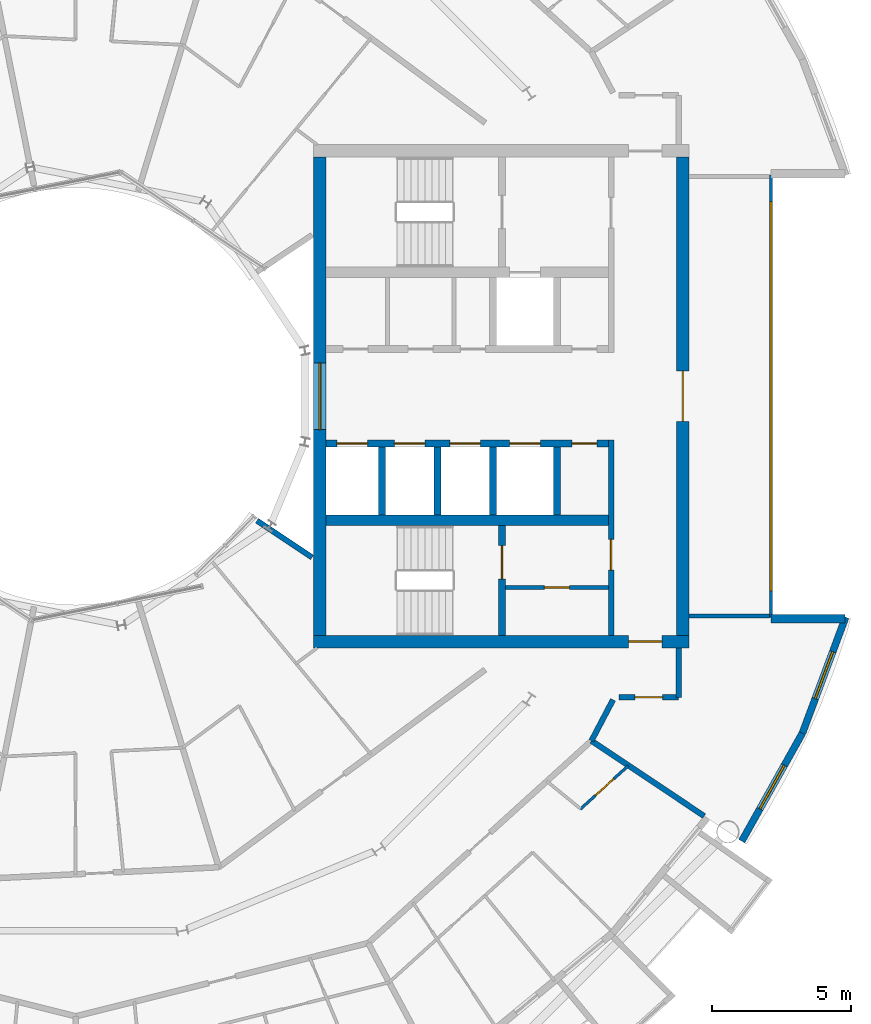
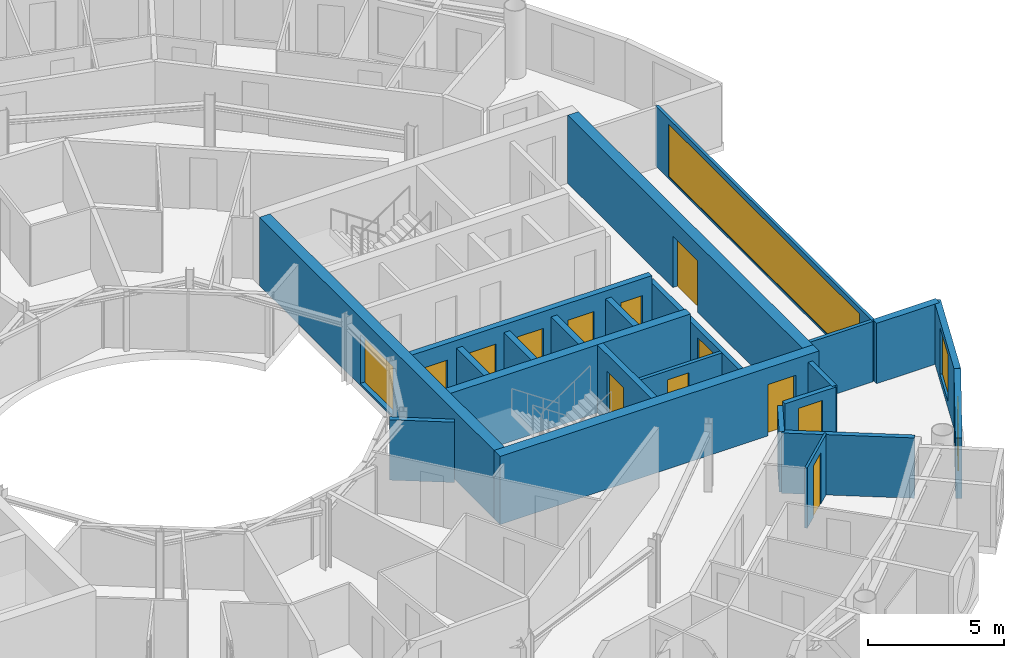
# One storey, part 19 of 29: 23 walls, 12 doors, 4 windows, 16 openings.
"""IFC4 building model written with IfcOpenShell, lengths in metres."""

from ifc_helpers import new_model, si_unit, direction, frame, frame_2d, origin, place, context, subcontext, project, spatial, rectangle, extrude, material, layer, layer_set, type_object, element, fill, save


model = new_model("IFC4")

# Units and contexts
model_context = context("Model", 3, precision=1e-05, world=origin(), true_north=direction((0.0, 1.0)))
body_context = subcontext(model_context, "Body", "Model", "MODEL_VIEW")
ifc_project = project(units=[si_unit("LENGTHUNIT", "METRE"), si_unit("AREAUNIT", "SQUARE_METRE"), si_unit("VOLUMEUNIT", "CUBIC_METRE"), si_unit("PLANEANGLEUNIT", "RADIAN"), si_unit("MASSUNIT", "GRAM", prefix="KILO")], contexts=[model_context])

# Site, building, storey
site_placement = place(None, origin())
site = spatial("IfcSite", under=ifc_project, at=site_placement, CompositionType="ELEMENT")
building_placement = place(site_placement, origin())
building = spatial("IfcBuilding", under=site, at=building_placement, Name="Maasbend Ring Residences", CompositionType="ELEMENT")
storey_placement = place(building_placement, frame((0.0, 0.0, 193.25)))
storey = spatial("IfcBuildingStorey", under=building, at=storey_placement, Name="L55", CompositionType="ELEMENT", Elevation=193.25)

# Wall, openings, doors
ifc_material_1 = material(Name="Concrete C50/60", Category="concrete")
ifc_layer_1 = layer(ifc_material_1, 0.25)
ifc_layer_set_1 = layer_set([ifc_layer_1], Name="Concrete C50/60")
wall_type_1 = type_object("IfcWallType", Name="CORE WALL 250 C50/60", PredefinedType="SHEAR", material=ifc_layer_set_1)
wall_1_placement = place(storey_placement, frame((19.14990234375, -1.699951171875, 0.0), z_axis=(0.0, 0.0, 1.0), x_axis=(-1.0, 0.0, 0.0)))
wall_1 = element("IfcWall", 1, at=wall_1_placement, inside=storey, type_object=wall_type_1, Name="L55 core E wall SPS", PredefinedType="SHEAR", context=body_context, shape_type="SweptSolid", body=[
    extrude(rectangle(XDim=10.14990234375, YDim=0.25, at=frame_2d((5.074951171875, 0.0))), origin(), (0.0, 0.0, 1.0), 3.050048828125),
])
opening_1_placement = place(wall_1_placement, frame((8.66259765625, 0.0, 0.0)))
opening_1 = element("IfcOpeningElement", 2, at=opening_1_placement, cuts=wall_1, Name="Opening LD-E5502", PredefinedType="OPENING", context=body_context, shape_type="SweptSolid", body=[
    extrude(rectangle(XDim=1.10009765625, YDim=2.300048828125, at=frame_2d((0.550048828125, 1.14990234375))), frame((0.0, 0.135009765625, 0.0), z_axis=(0.0, -1.0, 0.0), x_axis=(1.0, 0.0, 0.0)), (0.0, 0.0, 1.0), 0.27001953125),
])
opening_2_placement = place(wall_1_placement, frame((6.60009765625, 0.0, 0.0)))
opening_2 = element("IfcOpeningElement", 3, at=opening_2_placement, cuts=wall_1, Name="Opening LD-E5503", PredefinedType="OPENING", context=body_context, shape_type="SweptSolid", body=[
    extrude(rectangle(XDim=1.10009765625, YDim=2.300048828125, at=frame_2d((0.550048828125, 1.14990234375))), frame((0.0, 0.135009765625, 0.0), z_axis=(0.0, -1.0, 0.0), x_axis=(1.0, 0.0, 0.0)), (0.0, 0.0, 1.0), 0.27001953125),
])
opening_3_placement = place(wall_1_placement, frame((4.60009765625, 0.0, 0.0)))
opening_3 = element("IfcOpeningElement", 4, at=opening_3_placement, cuts=wall_1, Name="Opening LD-E5504", PredefinedType="OPENING", context=body_context, shape_type="SweptSolid", body=[
    extrude(rectangle(XDim=1.10009765625, YDim=2.300048828125, at=frame_2d((0.550048828125, 1.14990234375))), frame((0.0, 0.135009765625, 0.0), z_axis=(0.0, -1.0, 0.0), x_axis=(1.0, 0.0, 0.0)), (0.0, 0.0, 1.0), 0.27001953125),
])
opening_4_placement = place(wall_1_placement, frame((2.449951171875, 0.0, 0.0)))
opening_4 = element("IfcOpeningElement", 5, at=opening_4_placement, cuts=wall_1, Name="Opening LD-E5505", PredefinedType="OPENING", context=body_context, shape_type="SweptSolid", body=[
    extrude(rectangle(XDim=1.10009765625, YDim=2.300048828125, at=frame_2d((0.550048828125, 1.14990234375))), frame((0.0, 0.135009765625, 0.0), z_axis=(0.0, -1.0, 0.0), x_axis=(1.0, 0.0, 0.0)), (0.0, 0.0, 1.0), 0.27001953125),
])
opening_5_placement = place(wall_1_placement, frame((0.41259765625, 0.0, 0.0)))
opening_5 = element("IfcOpeningElement", 6, at=opening_5_placement, cuts=wall_1, Name="Opening D-E5510", PredefinedType="OPENING", context=body_context, shape_type="SweptSolid", body=[
    extrude(rectangle(XDim=0.89990234375, YDim=2.300048828125, at=frame_2d((0.449951171875, 1.14990234375))), frame((0.0, 0.135009765625, 0.0), z_axis=(0.0, -1.0, 0.0), x_axis=(1.0, 0.0, 0.0)), (0.0, 0.0, 1.0), 0.27001953125),
])
ifc_material_2 = material(Name="Stainless steel 316", Category="steel")
door_type_1 = type_object("IfcDoorType", Name="LANDING DOOR 1100 X 2300 FD60", OperationType="DOUBLE_DOOR_SLIDING", PredefinedType="DOOR", material=ifc_material_2)
door_1_placement = place(opening_1_placement, origin())
door_1 = element("IfcDoor", 7, at=door_1_placement, inside=storey, type_object=door_type_1, Name="Landing door HR-E1 L55", OperationType="DOUBLE_DOOR_SLIDING", OverallHeight=2.300048828125, OverallWidth=1.10009765625, PredefinedType="DOOR", context=body_context, shape_type="SweptSolid", body=[
    extrude(rectangle(XDim=1.10009765625, YDim=2.300048828125, at=frame_2d((0.550048828125, 1.14990234375))), frame((0.0, 0.02490234375, 0.0), z_axis=(0.0, -1.0, 0.0), x_axis=(1.0, 0.0, 0.0)), (0.0, 0.0, 1.0), 0.050048828125),
])
fill(opening_1, door_1)
door_2_placement = place(opening_2_placement, origin())
door_2 = element("IfcDoor", 8, at=door_2_placement, inside=storey, type_object=door_type_1, Name="Landing door HR-E2 L55", OperationType="DOUBLE_DOOR_SLIDING", OverallHeight=2.300048828125, OverallWidth=1.10009765625, PredefinedType="DOOR", context=body_context, shape_type="SweptSolid", body=[
    extrude(rectangle(XDim=1.10009765625, YDim=2.300048828125, at=frame_2d((0.550048828125, 1.14990234375))), frame((0.0, 0.02490234375, 0.0), z_axis=(0.0, -1.0, 0.0), x_axis=(1.0, 0.0, 0.0)), (0.0, 0.0, 1.0), 0.050048828125),
])
fill(opening_2, door_2)
door_3_placement = place(opening_3_placement, origin())
door_3 = element("IfcDoor", 9, at=door_3_placement, inside=storey, type_object=door_type_1, Name="Landing door HR-E3 L55", OperationType="DOUBLE_DOOR_SLIDING", OverallHeight=2.300048828125, OverallWidth=1.10009765625, PredefinedType="DOOR", context=body_context, shape_type="SweptSolid", body=[
    extrude(rectangle(XDim=1.10009765625, YDim=2.300048828125, at=frame_2d((0.550048828125, 1.14990234375))), frame((0.0, 0.02490234375, 0.0), z_axis=(0.0, -1.0, 0.0), x_axis=(1.0, 0.0, 0.0)), (0.0, 0.0, 1.0), 0.050048828125),
])
fill(opening_3, door_3)
door_4_placement = place(opening_4_placement, origin())
door_4 = element("IfcDoor", 10, at=door_4_placement, inside=storey, type_object=door_type_1, Name="Landing door SV-E L55", OperationType="DOUBLE_DOOR_SLIDING", OverallHeight=2.300048828125, OverallWidth=1.10009765625, PredefinedType="DOOR", context=body_context, shape_type="SweptSolid", body=[
    extrude(rectangle(XDim=1.10009765625, YDim=2.300048828125, at=frame_2d((0.550048828125, 1.14990234375))), frame((0.0, 0.02490234375, 0.0), z_axis=(0.0, -1.0, 0.0), x_axis=(1.0, 0.0, 0.0)), (0.0, 0.0, 1.0), 0.050048828125),
])
fill(opening_4, door_4)
ifc_material_3 = material(Name="Steel, powder coated", Category="steel")
door_type_2 = type_object("IfcDoorType", Name="ROOM DOOR 900 X 2300 FD30S", OperationType="NOTDEFINED", PredefinedType="DOOR", material=ifc_material_3)
door_5_placement = place(opening_5_placement, origin())
door_5 = element("IfcDoor", 11, at=door_5_placement, inside=storey, type_object=door_type_2, Name="Room door L55", OperationType="SINGLE_SWING_RIGHT", OverallHeight=2.300048828125, OverallWidth=0.89990234375, PredefinedType="DOOR", context=body_context, shape_type="SweptSolid", body=[
    extrude(rectangle(XDim=0.89990234375, YDim=2.300048828125, at=frame_2d((0.449951171875, 1.14990234375))), frame((0.0, 0.02490234375, 0.0), z_axis=(0.0, -1.0, 0.0), x_axis=(1.0, 0.0, 0.0)), (0.0, 0.0, 1.0), 0.050048828125),
])
fill(opening_5, door_5)

# Wall, opening, door
wall_2_placement = place(storey_placement, frame((15.324951171875, -8.60009765625, 0.0), z_axis=(0.0, 0.0, 1.0), x_axis=(0.0, 1.0, 0.0)))
wall_2 = element("IfcWall", 12, at=wall_2_placement, inside=storey, type_object=wall_type_1, Name="L55 core E wall STES", PredefinedType="SHEAR", context=body_context, shape_type="SweptSolid", body=[
    extrude(rectangle(XDim=3.9501953125, YDim=0.25, at=frame_2d((1.97509765625, 0.0))), origin(), (0.0, 0.0, 1.0), 3.050048828125),
])
opening_6_placement = place(wall_2_placement, frame((2.02490234375, 0.0, 0.0)))
opening_6 = element("IfcOpeningElement", 13, at=opening_6_placement, cuts=wall_2, Name="Opening D-E5513", PredefinedType="OPENING", context=body_context, shape_type="SweptSolid", body=[
    extrude(rectangle(XDim=1.199951171875, YDim=2.300048828125, at=frame_2d((0.60009765625, 1.14990234375))), frame((0.0, 0.135009765625, 0.0), z_axis=(0.0, -1.0, 0.0), x_axis=(1.0, 0.0, 0.0)), (0.0, 0.0, 1.0), 0.27001953125),
])
ifc_material_4 = material(Name="Steel, powder coated", Category="steel")
door_type_3 = type_object("IfcDoorType", Name="STAIR DOOR 1200 X 2300 FD60", OperationType="NOTDEFINED", PredefinedType="DOOR", material=ifc_material_4)
door_6_placement = place(opening_6_placement, origin())
door_6 = element("IfcDoor", 14, at=door_6_placement, inside=storey, type_object=door_type_3, Name="Stair door ST-E L55", OperationType="SINGLE_SWING_LEFT", OverallHeight=2.300048828125, OverallWidth=1.199951171875, PredefinedType="DOOR", context=body_context, shape_type="SweptSolid", body=[
    extrude(rectangle(XDim=1.199951171875, YDim=2.300048828125, at=frame_2d((0.60009765625, 1.14990234375))), frame((0.0, 0.02490234375, 0.0), z_axis=(0.0, -1.0, 0.0), x_axis=(1.0, 0.0, 0.0)), (0.0, 0.0, 1.0), 0.050048828125),
])
fill(opening_6, door_6)

# Wall
ifc_material_5 = material(Name="Concrete C50/60", Category="concrete")
ifc_layer_2 = layer(ifc_material_5, 0.375)
ifc_layer_set_2 = layer_set([ifc_layer_2], Name="Concrete C50/60")
wall_type_2 = type_object("IfcWallType", Name="CORE WALL 375 C50/60", PredefinedType="SHEAR", material=ifc_layer_set_2)
wall_3_placement = place(storey_placement, frame((9.0, -4.46240234375, 0.0), z_axis=(0.0, 0.0, 1.0), x_axis=(1.0, 0.0, 0.0)))
element("IfcWall", 15, at=wall_3_placement, inside=storey, type_object=wall_type_2, Name="L55 core E wall BS", PredefinedType="SHEAR", context=body_context, shape_type="SweptSolid", body=[
    extrude(rectangle(XDim=10.14990234375, YDim=0.375, at=frame_2d((5.074951171875, 0.0))), origin(), (0.0, 0.0, 1.0), 3.050048828125),
])

# Wall, opening, door
ifc_material_6 = material(Name="Concrete C50/60", Category="concrete")
ifc_layer_3 = layer(ifc_material_6, 0.449951171875)
ifc_layer_set_3 = layer_set([ifc_layer_3], Name="Concrete C50/60")
wall_type_3 = type_object("IfcWallType", Name="CORE WALL 450 C50/60", PredefinedType="SHEAR", material=ifc_layer_set_3)
wall_4_placement = place(storey_placement, frame((8.550048828125, -8.824951171875, 0.0), z_axis=(0.0, 0.0, 1.0), x_axis=(1.0, 0.0, 0.0)))
wall_4 = element("IfcWall", 16, at=wall_4_placement, inside=storey, type_object=wall_type_3, Name="L55 core E wall PS", PredefinedType="SHEAR", context=body_context, shape_type="SweptSolid", body=[
    extrude(rectangle(XDim=13.5, YDim=0.449951171875, at=frame_2d((6.75, 0.0))), origin(), (0.0, 0.0, 1.0), 3.050048828125),
])
opening_7_placement = place(wall_4_placement, frame((11.324951171875, 0.0, 0.0)))
opening_7 = element("IfcOpeningElement", 17, at=opening_7_placement, cuts=wall_4, Name="Opening D-E5517", PredefinedType="OPENING", context=body_context, shape_type="SweptSolid", body=[
    extrude(rectangle(XDim=1.199951171875, YDim=2.300048828125, at=frame_2d((0.60009765625, 1.14990234375))), frame((0.0, 0.23486328125, 0.0), z_axis=(0.0, -1.0, 0.0), x_axis=(1.0, 0.0, 0.0)), (0.0, 0.0, 1.0), 0.469970703125),
])
ifc_material_7 = material(Name="Steel, powder coated", Category="steel")
door_type_4 = type_object("IfcDoorType", Name="CORRIDOR DOOR 1200 X 2300 FD30S", OperationType="NOTDEFINED", PredefinedType="DOOR", material=ifc_material_7)
door_7_placement = place(opening_7_placement, origin())
door_7 = element("IfcDoor", 18, at=door_7_placement, inside=storey, type_object=door_type_4, Name="Corridor door L55", OperationType="SINGLE_SWING_LEFT", OverallHeight=2.300048828125, OverallWidth=1.199951171875, PredefinedType="DOOR", context=body_context, shape_type="SweptSolid", body=[
    extrude(rectangle(XDim=1.199951171875, YDim=2.300048828125, at=frame_2d((0.60009765625, 1.14990234375))), frame((0.0, 0.02490234375, 0.0), z_axis=(0.0, -1.0, 0.0), x_axis=(1.0, 0.0, 0.0)), (0.0, 0.0, 1.0), 0.050048828125),
])
fill(opening_7, door_7)

wall_5_placement = place(storey_placement, frame((21.824951171875, 8.60009765625, 0.0), z_axis=(0.0, 0.0, 1.0), x_axis=(0.0, -1.0, 0.0)))
wall_5 = element("IfcWall", 19, at=wall_5_placement, inside=storey, type_object=wall_type_3, Name="L55 core E wall POUT", PredefinedType="SHEAR", context=body_context, shape_type="SweptSolid", body=[
    extrude(rectangle(XDim=17.2001953125, YDim=0.449951171875, at=frame_2d((8.60009765625, 0.0))), origin(), (0.0, 0.0, 1.0), 3.050048828125),
])
opening_8_placement = place(wall_5_placement, frame((7.699951171875, 0.0, 0.0)))
opening_8 = element("IfcOpeningElement", 20, at=opening_8_placement, cuts=wall_5, Name="Opening D-E5518", PredefinedType="OPENING", context=body_context, shape_type="SweptSolid", body=[
    extrude(rectangle(XDim=1.800048828125, YDim=2.300048828125, at=frame_2d((0.89990234375, 1.14990234375))), frame((0.0, 0.23486328125, 0.0), z_axis=(0.0, -1.0, 0.0), x_axis=(1.0, 0.0, 0.0)), (0.0, 0.0, 1.0), 0.469970703125),
])
ifc_material_8 = material(Name="Aluminium frame, clear glass", Category="aluminium")
door_type_5 = type_object("IfcDoorType", Name="ENTRANCE DOOR 1800 X 2300 FD60", OperationType="NOTDEFINED", PredefinedType="DOOR", material=ifc_material_8)
door_8_placement = place(opening_8_placement, origin())
door_8 = element("IfcDoor", 21, at=door_8_placement, inside=storey, type_object=door_type_5, Name="Lobby glazed door L55", OperationType="SINGLE_SWING_LEFT", OverallHeight=2.300048828125, OverallWidth=1.800048828125, PredefinedType="DOOR", context=body_context, shape_type="SweptSolid", body=[
    extrude(rectangle(XDim=1.800048828125, YDim=2.300048828125, at=frame_2d((0.89990234375, 1.14990234375))), frame((0.0, 0.02490234375, 0.0), z_axis=(0.0, -1.0, 0.0), x_axis=(1.0, 0.0, 0.0)), (0.0, 0.0, 1.0), 0.050048828125),
])
fill(opening_8, door_8)

# Wall, opening, window
wall_6_placement = place(storey_placement, frame((8.77490234375, -8.60009765625, 0.0), z_axis=(0.0, 0.0, 1.0), x_axis=(0.0, 1.0, 0.0)))
wall_6 = element("IfcWall", 22, at=wall_6_placement, inside=storey, type_object=wall_type_3, Name="L55 core E wall PIN", PredefinedType="SHEAR", context=body_context, shape_type="SweptSolid", body=[
    extrude(rectangle(XDim=17.2001953125, YDim=0.449951171875, at=frame_2d((8.60009765625, 0.0))), origin(), (0.0, 0.0, 1.0), 3.050048828125),
])
opening_9_placement = place(wall_6_placement, frame((7.39990234375, 0.0, 0.10009765625)))
opening_9 = element("IfcOpeningElement", 23, at=opening_9_placement, cuts=wall_6, Name="Opening W-E5501", PredefinedType="OPENING", context=body_context, shape_type="SweptSolid", body=[
    extrude(rectangle(XDim=2.39990234375, YDim=2.199951171875, at=frame_2d((1.199951171875, 1.10009765625))), frame((0.0, 0.23486328125, 0.0), z_axis=(0.0, -1.0, 0.0), x_axis=(1.0, 0.0, 0.0)), (0.0, 0.0, 1.0), 0.469970703125),
])
ifc_material_9 = material(Name="Aluminium frame and clear glass", Category="aluminium")
window_type_1 = type_object("IfcWindowType", Name="FIXED WINDOW 2400 X 2200", PartitioningType="SINGLE_PANEL", PredefinedType="WINDOW", material=ifc_material_9)
window_1_placement = place(opening_9_placement, origin())
window_1 = element("IfcWindow", 24, at=window_1_placement, inside=storey, type_object=window_type_1, Name="Lobby window L55", OverallHeight=2.199951171875, OverallWidth=2.39990234375, PartitioningType="SINGLE_PANEL", PredefinedType="WINDOW", context=body_context, shape_type="SweptSolid", body=[
    extrude(rectangle(XDim=2.39990234375, YDim=2.199951171875, at=frame_2d((1.199951171875, 1.10009765625))), frame((0.0, 0.030029296875, 0.0), z_axis=(0.0, -1.0, 0.0), x_axis=(1.0, 0.0, 0.0)), (0.0, 0.0, 1.0), 0.06005859375),
])
fill(opening_9, window_1)

# Walls
ifc_material_10 = material(Name="Concrete C30/37", Category="concrete")
ifc_layer_4 = layer(ifc_material_10, 0.199951171875)
ifc_layer_set_4 = layer_set([ifc_layer_4], Name="Concrete C30/37")
wall_type_4 = type_object("IfcWallType", Name="CORRIDOR WALL 200 CONCRETE", PredefinedType="PARTITIONING", material=ifc_layer_set_4)
wall_7_placement = place(storey_placement, frame((18.5419921875, -12.388916015625, 0.0), z_axis=(0.0, 0.0, 1.0), x_axis=(0.465359652486, 0.885121683068, 0.0)))
element("IfcWall", 25, at=wall_7_placement, inside=storey, type_object=wall_type_4, Name="U-L55-w010", PredefinedType="PARTITIONING", context=body_context, shape_type="SweptSolid", body=[
    extrude(rectangle(XDim=1.665283203125, YDim=0.199951171875, at=frame_2d((0.83251953125, 0.0))), origin(), (0.0, 0.0, 1.0), 2.699951171875),
])
wall_8_placement = place(storey_placement, frame((21.675048828125, -10.824951171875, 0.0), z_axis=(0.0, 0.0, 1.0), x_axis=(0.0, 1.0, 0.0)))
element("IfcWall", 26, at=wall_8_placement, inside=storey, type_object=wall_type_4, Name="U-L55-w011", PredefinedType="PARTITIONING", context=body_context, shape_type="SweptSolid", body=[
    extrude(rectangle(XDim=1.77490234375, YDim=0.199951171875, at=frame_2d((0.887451171875, 0.0))), origin(), (0.0, 0.0, 1.0), 2.699951171875),
])

# Wall, opening, door
wall_9_placement = place(storey_placement, frame((19.52294921875, -10.824951171875, 0.0), z_axis=(0.0, 0.0, 1.0), x_axis=(1.0, 0.0, 0.0)))
wall_9 = element("IfcWall", 27, at=wall_9_placement, inside=storey, type_object=wall_type_4, Name="U-L55-w027", PredefinedType="PARTITIONING", context=body_context, shape_type="SweptSolid", body=[
    extrude(rectangle(XDim=2.152099609375, YDim=0.199951171875, at=frame_2d((1.076171875, 0.0))), origin(), (0.0, 0.0, 1.0), 2.699951171875),
])
opening_10_placement = place(wall_9_placement, frame((0.575927734375, 0.0, 0.0)))
opening_10 = element("IfcOpeningElement", 28, at=opening_10_placement, cuts=wall_9, Name="Opening D-5573", PredefinedType="OPENING", context=body_context, shape_type="SweptSolid", body=[
    extrude(rectangle(XDim=1.0, YDim=2.300048828125, at=frame_2d((0.5, 1.14990234375))), frame((0.0, 0.10986328125, 0.0), z_axis=(0.0, -1.0, 0.0), x_axis=(1.0, 0.0, 0.0)), (0.0, 0.0, 1.0), 0.219970703125),
])
ifc_material_11 = material(Name="Timber, painted", Category="wood")
door_type_6 = type_object("IfcDoorType", Name="ROOM DOOR 1000 X 2300", OperationType="NOTDEFINED", PredefinedType="DOOR", material=ifc_material_11)
door_9_placement = place(opening_10_placement, origin())
door_9 = element("IfcDoor", 29, at=door_9_placement, inside=storey, type_object=door_type_6, Name="D-5573", OperationType="SINGLE_SWING_LEFT", OverallHeight=2.300048828125, OverallWidth=1.0, PredefinedType="DOOR", context=body_context, shape_type="SweptSolid", body=[
    extrude(rectangle(XDim=1.0, YDim=2.300048828125, at=frame_2d((0.5, 1.14990234375))), frame((0.0, 0.02490234375, 0.0), z_axis=(0.0, -1.0, 0.0), x_axis=(1.0, 0.0, 0.0)), (0.0, 0.0, 1.0), 0.050048828125),
])
fill(opening_10, door_9)

# Wall, opening, window
ifc_material_12 = material(Name="Aluminium clad insulated panel", Category="aluminium")
ifc_layer_5 = layer(ifc_material_12, 0.25)
ifc_layer_set_5 = layer_set([ifc_layer_5], Name="EW-HORN")
wall_type_5 = type_object("IfcWallType", Name="EW-HORN", PredefinedType="SOLIDWALL", material=ifc_layer_set_5)
wall_10_placement = place(storey_placement, frame((23.946044921875, -16.0, 0.0), z_axis=(0.0, 0.0, 1.0), x_axis=(0.489696356642, 0.871893042919, 0.0)))
wall_10 = element("IfcWall", 30, at=wall_10_placement, inside=storey, type_object=wall_type_5, Name="Horn wall 2.1", PredefinedType="SOLIDWALL", context=body_context, shape_type="SweptSolid", body=[
    extrude(rectangle(XDim=4.45361328125, YDim=0.25, at=frame_2d((2.226806640625, 0.0))), origin(), (0.0, 0.0, 1.0), 2.699951171875),
])
opening_11_placement = place(wall_10_placement, frame((1.32666015625, 0.0, 0.300048828125)))
opening_11 = element("IfcOpeningElement", 31, at=opening_11_placement, cuts=wall_10, Name="Opening W-BX", PredefinedType="OPENING", context=body_context, shape_type="SweptSolid", body=[
    extrude(rectangle(XDim=1.800048828125, YDim=2.10009765625, at=frame_2d((0.89990234375, 1.050048828125))), frame((0.0, 0.135009765625, 0.0), z_axis=(0.0, -1.0, 0.0), x_axis=(1.0, 0.0, 0.0)), (0.0, 0.0, 1.0), 0.27001953125),
])
ifc_material_13 = material(Name="Aluminium and clear glass", Category="aluminium")
window_type_2 = type_object("IfcWindowType", Name="W-BX", PartitioningType="DOUBLE_PANEL_VERTICAL", PredefinedType="WINDOW", material=ifc_material_13)
window_2_placement = place(opening_11_placement, origin())
window_2 = element("IfcWindow", 32, at=window_2_placement, inside=storey, type_object=window_type_2, Name="Horn window 2.1", OverallHeight=2.10009765625, OverallWidth=1.800048828125, PartitioningType="SINGLE_PANEL", PredefinedType="WINDOW", context=body_context, shape_type="SweptSolid", body=[
    extrude(rectangle(XDim=1.800048828125, YDim=2.10009765625, at=frame_2d((0.89990234375, 1.050048828125))), frame((0.0, 0.030029296875, 0.0), z_axis=(0.0, -1.0, 0.0), x_axis=(1.0, 0.0, 0.0)), (0.0, 0.0, 1.0), 0.06005859375),
])
fill(opening_11, window_2)

wall_11_placement = place(storey_placement, frame((26.126953125, -12.116943359375, 0.0), z_axis=(0.0, 0.0, 1.0), x_axis=(0.349247811493, 0.937030397675, 0.0)))
wall_11 = element("IfcWall", 33, at=wall_11_placement, inside=storey, type_object=wall_type_5, Name="Horn wall 2.2", PredefinedType="SOLIDWALL", context=body_context, shape_type="SweptSolid", body=[
    extrude(rectangle(XDim=4.4521484375, YDim=0.25, at=frame_2d((2.22607421875, 0.0))), origin(), (0.0, 0.0, 1.0), 2.699951171875),
])
opening_12_placement = place(wall_11_placement, frame((1.32666015625, 0.0, 0.300048828125)))
opening_12 = element("IfcOpeningElement", 34, at=opening_12_placement, cuts=wall_11, Name="Opening W-BX", PredefinedType="OPENING", context=body_context, shape_type="SweptSolid", body=[
    extrude(rectangle(XDim=1.800048828125, YDim=2.10009765625, at=frame_2d((0.89990234375, 1.050048828125))), frame((0.0, 0.135009765625, 0.0), z_axis=(0.0, -1.0, 0.0), x_axis=(1.0, 0.0, 0.0)), (0.0, 0.0, 1.0), 0.27001953125),
])
window_3_placement = place(opening_12_placement, origin())
window_3 = element("IfcWindow", 35, at=window_3_placement, inside=storey, type_object=window_type_2, Name="Horn window 2.2", OverallHeight=2.10009765625, OverallWidth=1.800048828125, PartitioningType="SINGLE_PANEL", PredefinedType="WINDOW", context=body_context, shape_type="SweptSolid", body=[
    extrude(rectangle(XDim=1.800048828125, YDim=2.10009765625, at=frame_2d((0.89990234375, 1.050048828125))), frame((0.0, 0.030029296875, 0.0), z_axis=(0.0, -1.0, 0.0), x_axis=(1.0, 0.0, 0.0)), (0.0, 0.0, 1.0), 0.06005859375),
])
fill(opening_12, window_3)

# Wall
ifc_material_14 = material(Name="Aluminium clad insulated panel", Category="aluminium")
ifc_layer_6 = layer(ifc_material_14, 0.300048828125)
ifc_layer_set_6 = layer_set([ifc_layer_6], Name="EW-RET")
wall_type_6 = type_object("IfcWallType", Name="EW-RET", PredefinedType="SOLIDWALL", material=ifc_layer_set_6)
wall_12_placement = place(storey_placement, frame((25.0, -8.0, 0.0), z_axis=(0.0, 0.0, 1.0), x_axis=(1.0, 0.0, 0.0)))
element("IfcWall", 36, at=wall_12_placement, inside=storey, type_object=wall_type_6, Name="Notch return wall east south", PredefinedType="SOLIDWALL", context=body_context, shape_type="SweptSolid", body=[
    extrude(rectangle(XDim=2.6669921875, YDim=0.300048828125, at=frame_2d((1.33349609375, 0.0))), origin(), (0.0, 0.0, 1.0), 2.699951171875),
])

# Wall, opening, window
ifc_material_15 = material(Name="Aluminium frame and clear glass", Category="aluminium")
ifc_layer_7 = layer(ifc_material_15, 0.1201171875)
ifc_layer_set_7 = layer_set([ifc_layer_7], Name="GLAZED SCREEN WALL 120 EI 60")
wall_type_7 = type_object("IfcWallType", Name="GLAZED SCREEN WALL 120 EI 60", PredefinedType="PARTITIONING", material=ifc_layer_set_7)
wall_13_placement = place(storey_placement, frame((25.0, -7.949951171875, 0.0), z_axis=(0.0, 0.0, 1.0), x_axis=(0.0, 1.0, 0.0)))
wall_13 = element("IfcWall", 37, at=wall_13_placement, inside=storey, type_object=wall_type_7, Name="L55 core E wall FACE", PredefinedType="PARTITIONING", context=body_context, shape_type="SweptSolid", body=[
    extrude(rectangle(XDim=15.89990234375, YDim=0.1201171875, at=frame_2d((7.949951171875, 0.0))), origin(), (0.0, 0.0, 1.0), 2.699951171875),
])
opening_13_placement = place(wall_13_placement, frame((0.949951171875, 0.0, 0.10009765625)))
opening_13 = element("IfcOpeningElement", 38, at=opening_13_placement, cuts=wall_13, Name="Opening W-E5502", PredefinedType="OPENING", context=body_context, shape_type="SweptSolid", body=[
    extrude(rectangle(XDim=14.0, YDim=2.35009765625, at=frame_2d((7.0, 1.175048828125))), frame((0.0, 0.070068359375, 0.0), z_axis=(0.0, -1.0, 0.0), x_axis=(1.0, 0.0, 0.0)), (0.0, 0.0, 1.0), 0.14013671875),
])
ifc_material_16 = material(Name="Aluminium frame and clear glass", Category="aluminium")
window_type_3 = type_object("IfcWindowType", Name="FIXED WINDOW 14000 X 2350", PartitioningType="SINGLE_PANEL", PredefinedType="WINDOW", material=ifc_material_16)
window_4_placement = place(opening_13_placement, origin())
window_4 = element("IfcWindow", 39, at=window_4_placement, inside=storey, type_object=window_type_3, Name="Lobby window L55", OverallHeight=2.35009765625, OverallWidth=14.0, PartitioningType="SINGLE_PANEL", PredefinedType="WINDOW", context=body_context, shape_type="SweptSolid", body=[
    extrude(rectangle(XDim=14.0, YDim=2.35009765625, at=frame_2d((7.0, 1.175048828125))), frame((0.0, 0.030029296875, 0.0), z_axis=(0.0, -1.0, 0.0), x_axis=(1.0, 0.0, 0.0)), (0.0, 0.0, 1.0), 0.06005859375),
])
fill(opening_13, window_4)

# Wall, opening, door
ifc_material_17 = material(Name="Gypsum board on steel studs", Category="steel")
ifc_layer_8 = layer(ifc_material_17, 0.10009765625)
ifc_layer_set_8 = layer_set([ifc_layer_8], Name="PARTITION 100 GYPSUM")
wall_type_8 = type_object("IfcWallType", Name="PARTITION 100 GYPSUM", PredefinedType="PARTITIONING", material=ifc_layer_set_8)
wall_14_placement = place(storey_placement, frame((18.14697265625, -14.843994140625, 0.0), z_axis=(0.0, 0.0, 1.0), x_axis=(0.741080073381, 0.671416655169, 0.0)))
wall_14 = element("IfcWall", 40, at=wall_14_placement, inside=storey, type_object=wall_type_8, Name="U-L55-w008", PredefinedType="PARTITIONING", context=body_context, shape_type="SweptSolid", body=[
    extrude(rectangle(XDim=2.323486328125, YDim=0.10009765625, at=frame_2d((1.16162109375, 0.0))), origin(), (0.0, 0.0, 1.0), 2.699951171875),
])
opening_14_placement = place(wall_14_placement, frame((0.718017578125, 0.0, 0.0)))
opening_14 = element("IfcOpeningElement", 41, at=opening_14_placement, cuts=wall_14, Name="Opening D-5555", PredefinedType="OPENING", context=body_context, shape_type="SweptSolid", body=[
    extrude(rectangle(XDim=0.89990234375, YDim=2.300048828125, at=frame_2d((0.449951171875, 1.14990234375))), frame((0.0, 0.06005859375, 0.0), z_axis=(0.0, -1.0, 0.0), x_axis=(1.0, 0.0, 0.0)), (0.0, 0.0, 1.0), 0.1201171875),
])
ifc_material_18 = material(Name="Timber, painted", Category="wood")
door_type_7 = type_object("IfcDoorType", Name="INTERNAL DOOR 900 X 2300", OperationType="NOTDEFINED", PredefinedType="DOOR", material=ifc_material_18)
door_10_placement = place(opening_14_placement, origin())
door_10 = element("IfcDoor", 42, at=door_10_placement, inside=storey, type_object=door_type_7, Name="D-5555", OperationType="SINGLE_SWING_RIGHT", OverallHeight=2.300048828125, OverallWidth=0.89990234375, PredefinedType="DOOR", context=body_context, shape_type="SweptSolid", body=[
    extrude(rectangle(XDim=0.89990234375, YDim=2.300048828125, at=frame_2d((0.449951171875, 1.14990234375))), frame((0.0, 0.02490234375, 0.0), z_axis=(0.0, -1.0, 0.0), x_axis=(1.0, 0.0, 0.0)), (0.0, 0.0, 1.0), 0.050048828125),
])
fill(opening_14, door_10)

ifc_material_19 = material(Name="Gypsum board on steel studs", Category="steel")
ifc_layer_9 = layer(ifc_material_19, 0.14990234375)
ifc_layer_set_9 = layer_set([ifc_layer_9], Name="PARTITION 150 EI 60")
wall_type_9 = type_object("IfcWallType", Name="PARTITION 150 EI 60", PredefinedType="PARTITIONING", material=ifc_layer_set_9)
wall_15_placement = place(storey_placement, frame((15.449951171875, -6.875, 0.0), z_axis=(0.0, 0.0, 1.0), x_axis=(1.0, 0.0, 0.0)))
wall_15 = element("IfcWall", 43, at=wall_15_placement, inside=storey, type_object=wall_type_9, Name="L55 core E wall RHS", PredefinedType="PARTITIONING", context=body_context, shape_type="SweptSolid", body=[
    extrude(rectangle(XDim=3.699951171875, YDim=0.14990234375, at=frame_2d((1.85009765625, 0.0))), origin(), (0.0, 0.0, 1.0), 2.699951171875),
])
opening_15_placement = place(wall_15_placement, frame((1.39990234375, 0.0, 0.0)))
opening_15 = element("IfcOpeningElement", 44, at=opening_15_placement, cuts=wall_15, Name="Opening D-E5511", PredefinedType="OPENING", context=body_context, shape_type="SweptSolid", body=[
    extrude(rectangle(XDim=0.89990234375, YDim=2.300048828125, at=frame_2d((0.449951171875, 1.14990234375))), frame((0.0, 0.0849609375, 0.0), z_axis=(0.0, -1.0, 0.0), x_axis=(1.0, 0.0, 0.0)), (0.0, 0.0, 1.0), 0.169921875),
])
ifc_material_20 = material(Name="Steel, powder coated", Category="steel")
door_type_8 = type_object("IfcDoorType", Name="RISER DOOR 900 X 2300 FD60", OperationType="NOTDEFINED", PredefinedType="DOOR", material=ifc_material_20)
door_11_placement = place(opening_15_placement, origin())
door_11 = element("IfcDoor", 45, at=door_11_placement, inside=storey, type_object=door_type_8, Name="Riser door L55", OperationType="SINGLE_SWING_LEFT", OverallHeight=2.300048828125, OverallWidth=0.89990234375, PredefinedType="DOOR", context=body_context, shape_type="SweptSolid", body=[
    extrude(rectangle(XDim=0.89990234375, YDim=2.300048828125, at=frame_2d((0.449951171875, 1.14990234375))), frame((0.0, 0.02490234375, 0.0), z_axis=(0.0, -1.0, 0.0), x_axis=(1.0, 0.0, 0.0)), (0.0, 0.0, 1.0), 0.050048828125),
])
fill(opening_15, door_11)

# Walls
wall_16_placement = place(storey_placement, frame((22.050048828125, -7.89990234375, 0.0), z_axis=(0.0, 0.0, 1.0), x_axis=(1.0, 0.0, 0.0)))
element("IfcWall", 46, at=wall_16_placement, inside=storey, type_object=wall_type_9, Name="L55 core E wall CITS", PredefinedType="PARTITIONING", context=body_context, shape_type="SweptSolid", body=[
    extrude(rectangle(XDim=2.889892578125, YDim=0.14990234375, at=frame_2d((1.44482421875, 0.0))), origin(), (0.0, 0.0, 1.0), 2.699951171875),
])
ifc_material_21 = material(Name="Concrete C30/37", Category="concrete")
ifc_layer_10 = layer(ifc_material_21, 0.199951171875)
ifc_layer_set_10 = layer_set([ifc_layer_10], Name="Concrete C30/37")
wall_type_10 = type_object("IfcWallType", Name="PARTY WALL 200 CONCRETE", PredefinedType="PARTITIONING", material=ifc_layer_set_10)
wall_17_placement = place(storey_placement, frame((6.512939453125, -4.471923828125, 0.0), z_axis=(0.0, 0.0, 1.0), x_axis=(0.831403409976, -0.555669299026, 0.0)))
element("IfcWall", 47, at=wall_17_placement, inside=storey, type_object=wall_type_10, Name="U-L55-w029", PredefinedType="PARTITIONING", context=body_context, shape_type="SweptSolid", body=[
    extrude(rectangle(XDim=2.382568359375, YDim=0.199951171875, at=frame_2d((1.19140625, 0.0))), origin(), (0.0, 0.0, 1.0), 2.699951171875),
])
wall_18_placement = place(storey_placement, frame((18.5419921875, -12.388916015625, 0.0), z_axis=(0.0, 0.0, 1.0), x_axis=(0.831387096605, -0.55569370664, 0.0)))
element("IfcWall", 48, at=wall_18_placement, inside=storey, type_object=wall_type_10, Name="U-L55-w089", PredefinedType="PARTITIONING", context=body_context, shape_type="SweptSolid", body=[
    extrude(rectangle(XDim=4.875, YDim=0.199951171875, at=frame_2d((2.4375, 0.0))), origin(), (0.0, 0.0, 1.0), 2.699951171875),
])

# Wall, opening, door
ifc_material_22 = material(Name="Concrete C30/37", Category="concrete")
ifc_layer_11 = layer(ifc_material_22, 0.199951171875)
ifc_layer_set_11 = layer_set([ifc_layer_11], Name="Concrete C30/37")
wall_type_11 = type_object("IfcWallType", Name="SHAFT WALL 200 EI 120", PredefinedType="SOLIDWALL", material=ifc_layer_set_11)
wall_19_placement = place(storey_placement, frame((19.25, -8.60009765625, 0.0), z_axis=(0.0, 0.0, 1.0), x_axis=(0.0, 1.0, 0.0)))
wall_19 = element("IfcWall", 49, at=wall_19_placement, inside=storey, type_object=wall_type_11, Name="L55 core E wall ENDS", PredefinedType="SOLIDWALL", context=body_context, shape_type="SweptSolid", body=[
    extrude(rectangle(XDim=7.025146484375, YDim=0.199951171875, at=frame_2d((3.5126953125, 0.0))), origin(), (0.0, 0.0, 1.0), 2.699951171875),
])
opening_16_placement = place(wall_19_placement, frame((2.35009765625, 0.0, 0.0)))
opening_16 = element("IfcOpeningElement", 50, at=opening_16_placement, cuts=wall_19, Name="Opening D-E5515", PredefinedType="OPENING", context=body_context, shape_type="SweptSolid", body=[
    extrude(rectangle(XDim=1.10009765625, YDim=2.300048828125, at=frame_2d((0.550048828125, 1.14990234375))), frame((0.0, 0.10986328125, 0.0), z_axis=(0.0, -1.0, 0.0), x_axis=(1.0, 0.0, 0.0)), (0.0, 0.0, 1.0), 0.219970703125),
])
ifc_material_23 = material(Name="Steel, powder coated", Category="steel")
door_type_9 = type_object("IfcDoorType", Name="LOBBY DOOR 1100 X 2300 FD60", OperationType="NOTDEFINED", PredefinedType="DOOR", material=ifc_material_23)
door_12_placement = place(opening_16_placement, origin())
door_12 = element("IfcDoor", 51, at=door_12_placement, inside=storey, type_object=door_type_9, Name="Lobby door L55", OperationType="SINGLE_SWING_RIGHT", OverallHeight=2.300048828125, OverallWidth=1.10009765625, PredefinedType="DOOR", context=body_context, shape_type="SweptSolid", body=[
    extrude(rectangle(XDim=1.10009765625, YDim=2.300048828125, at=frame_2d((0.550048828125, 1.14990234375))), frame((0.0, 0.02490234375, 0.0), z_axis=(0.0, -1.0, 0.0), x_axis=(1.0, 0.0, 0.0)), (0.0, 0.0, 1.0), 0.050048828125),
])
fill(opening_16, door_12)

# Walls
ifc_material_24 = material(Name="Concrete C30/37", Category="concrete")
ifc_layer_12 = layer(ifc_material_24, 0.25)
ifc_layer_set_12 = layer_set([ifc_layer_12], Name="Concrete C30/37")
wall_type_12 = type_object("IfcWallType", Name="SHAFT WALL 250 EI 120", PredefinedType="SOLIDWALL", material=ifc_layer_set_12)
for number, where, z_axis, x_axis, name in (
    (52, (15.0, -1.824951171875, 0.0), (0.0, 0.0, 1.0), (0.0, -1.0, 0.0), "L55 core E wall D150S"),
    (53, (17.300048828125, -1.824951171875, 0.0), (0.0, 0.0, 1.0), (0.0, -1.0, 0.0), "L55 core E wall D173S"),
    (54, (11.0, -1.824951171875, 0.0), (0.0, 0.0, 1.0), (0.0, -1.0, 0.0), "L55 core E wall D110S"),
    (55, (13.0, -1.824951171875, 0.0), (0.0, 0.0, 1.0), (0.0, -1.0, 0.0), "L55 core E wall D130S"),
):
    element("IfcWall", number, at=place(storey_placement, frame(where, z_axis=z_axis, x_axis=x_axis)), inside=storey, type_object=wall_type_12, Name=name, PredefinedType="SOLIDWALL", context=body_context, shape_type="SweptSolid", body=[
        extrude(rectangle(XDim=2.449951171875, YDim=0.25, at=frame_2d((1.22509765625, 0.0))), origin(), (0.0, 0.0, 1.0), 2.699951171875),
    ])

save(model, "model.ifc")
